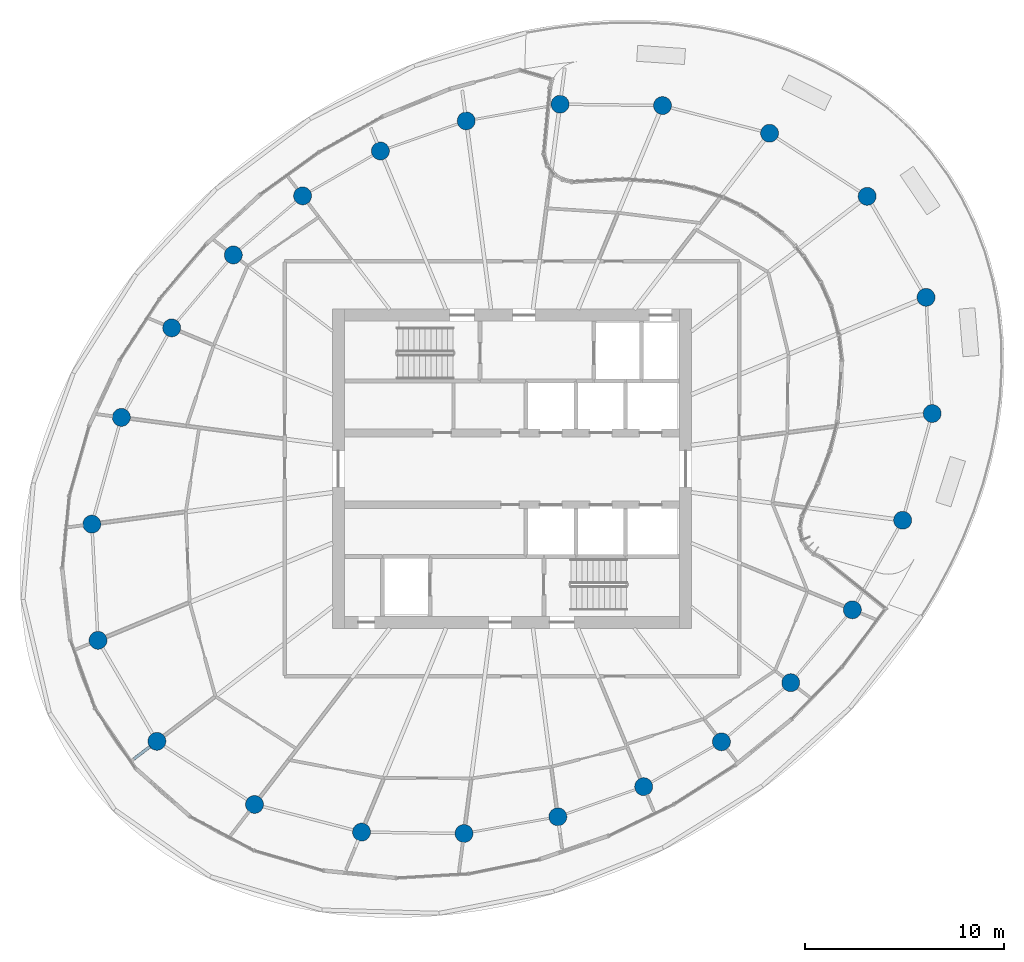
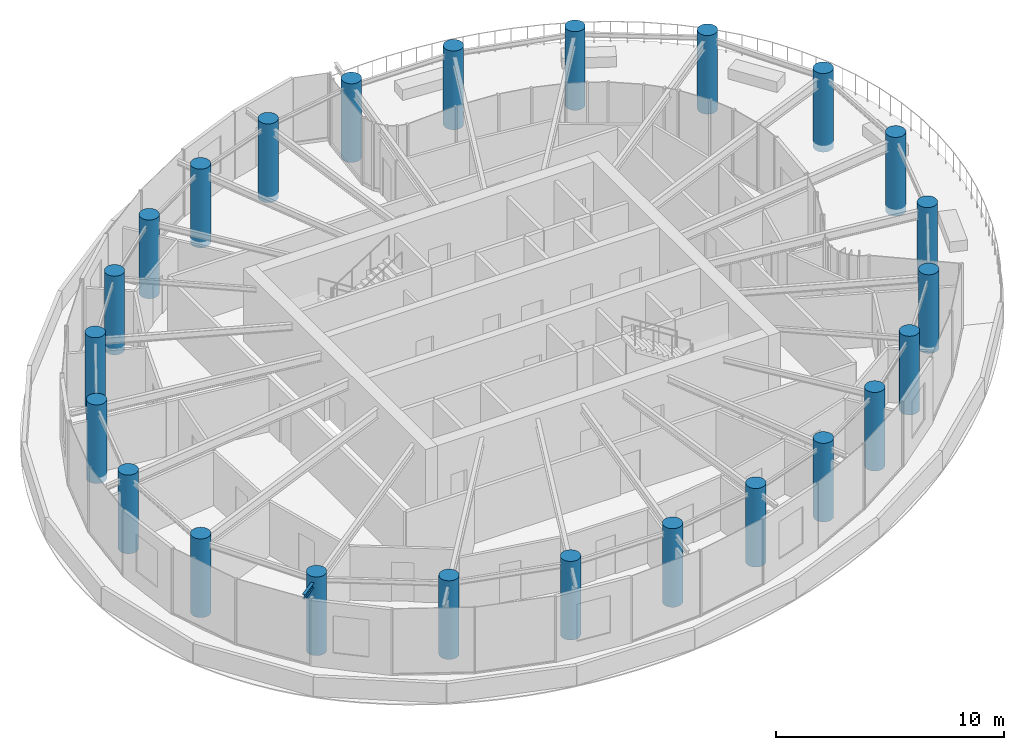
# One storey, part 1 of 19: 24 columns, 1 beam.
"""IFC4 building model written with IfcOpenShell, lengths in metres."""

from ifc_helpers import new_model, si_unit, direction, frame, origin, origin_2d, place, context, subcontext, project, spatial, circle, i_section, extrude, source, transform, mapped, material, material_profile, profile_set, type_object, element, save


model = new_model("IFC4")

# Units and contexts
model_context = context("Model", 3, precision=1e-05, world=origin(), true_north=direction((0.0, 1.0)))
body_context = subcontext(model_context, "Body", "Model", "MODEL_VIEW")
ifc_project = project(units=[si_unit("LENGTHUNIT", "METRE"), si_unit("AREAUNIT", "SQUARE_METRE"), si_unit("VOLUMEUNIT", "CUBIC_METRE"), si_unit("PLANEANGLEUNIT", "RADIAN"), si_unit("MASSUNIT", "GRAM", prefix="KILO")], contexts=[model_context])

# Site, building, storey
site_placement = place(None, origin())
site = spatial("IfcSite", under=ifc_project, at=site_placement, CompositionType="ELEMENT")
building_placement = place(site_placement, origin())
building = spatial("IfcBuilding", under=site, at=building_placement, Name="Spindrift Exchange Tower", CompositionType="ELEMENT")
storey_placement = place(building_placement, frame((0.0, 0.0, 183.800048828125)))
storey = spatial("IfcBuildingStorey", under=building, at=storey_placement, Name="L44", CompositionType="ELEMENT", Elevation=183.800048828125)

# Columns
ifc_material_1 = material(Name="Concrete 50 MPa", Category="concrete")
ifc_material_profile_1 = material_profile(ifc_material_1, circle(Radius=0.449951171875, at=origin_2d()), Name="RC D900")
ifc_profile_set_1 = profile_set([ifc_material_profile_1], Name="Concrete 50 MPa")
column_type = type_object("IfcColumnType", Name="RC Perimeter Column D900 Concrete 50 MPa", PredefinedType="COLUMN", material=ifc_profile_set_1)
shared_shape_1 = source(origin(), body_context, "Body", "SweptSolid", [
    extrude(circle(Radius=0.449951171875, at=origin_2d()), origin(), (0.0, 0.0, 1.0), 4.219970703125),
])
for number, where, z_axis, x_axis, name in (
    (1, (73.062255859375, 50.77294921875, -0.320068359375), (0.0, 0.0, 1.0), (1.0, 0.0, 0.0), "Perimeter column P4-01 L44"),
    (2, (72.753173828125, 56.59619140625, -0.320068359375), (0.0, 0.0, 1.0), (1.0, 0.0, 0.0), "Perimeter column P4-02 L44"),
    (3, (69.802001953125, 61.659912109375, -0.320068359375), (0.0, 0.0, 1.0), (1.0, 0.0, 0.0), "Perimeter column P4-03 L44"),
    (4, (64.90869140625, 64.822998046875, -0.320068359375), (0.0, 0.0, 1.0), (1.0, 0.0, 0.0), "Perimeter column P4-04 L44"),
    (5, (59.542724609375, 66.209716796875, -0.320068359375), (0.0, 0.0, 1.0), (1.0, 0.0, 0.0), "Perimeter column P4-05 L44"),
    (6, (54.406494140625, 66.2783203125, -0.320068359375), (0.0, 0.0, 1.0), (1.0, 0.0, 0.0), "Perimeter column P4-06 L44"),
    (7, (49.70361328125, 65.4423828125, -0.320068359375), (0.0, 0.0, 1.0), (1.0, 0.0, 0.0), "Perimeter column P4-07 L44"),
    (8, (45.40087890625, 63.931396484375, -0.320068359375), (0.0, 0.0, 1.0), (1.0, 0.0, 0.0), "Perimeter column P4-08 L44"),
    (9, (41.500732421875, 61.68310546875, -0.320068359375), (0.0, 0.0, 1.0), (1.0, 0.0, 0.0), "Perimeter column P4-09 L44"),
    (10, (38.029052734375, 58.72021484375, -0.320068359375), (0.0, 0.0, 1.0), (1.0, 0.0, 0.0), "Perimeter column P4-10 L44"),
    (11, (34.940673828125, 55.066162109375, -0.320068359375), (0.0, 0.0, 1.0), (1.0, 0.0, 0.0), "Perimeter column P4-11 L44"),
    (12, (32.4189453125, 50.577880859375, -0.320068359375), (0.0, 0.0, 1.0), (1.0, 0.0, 0.0), "Perimeter column P4-12 L44"),
    (13, (30.937744140625, 45.22705078125, -0.320068359375), (0.0, 0.0, 1.0), (1.0, 0.0, 0.0), "Perimeter column P4-13 L44"),
    (14, (31.246826171875, 39.40380859375, -0.320068359375), (0.0, 0.0, 1.0), (1.0, 0.0, 0.0), "Perimeter column P4-14 L44"),
    (15, (34.197998046875, 34.340087890625, -0.320068359375), (0.0, 0.0, 1.0), (1.0, 0.0, 0.0), "Perimeter column P4-15 L44"),
    (16, (39.09130859375, 31.177001953125, -0.320068359375), (0.0, 0.0, 1.0), (1.0, 0.0, 0.0), "Perimeter column P4-16 L44"),
    (17, (44.457275390625, 29.790283203125, -0.320068359375), (0.0, 0.0, 1.0), (1.0, 0.0, 0.0), "Perimeter column P4-17 L44"),
    (18, (49.593505859375, 29.7216796875, -0.320068359375), (0.0, 0.0, 1.0), (1.0, 0.0, 0.0), "Perimeter column P4-18 L44"),
    (19, (54.29638671875, 30.5576171875, -0.320068359375), (0.0, 0.0, 1.0), (1.0, 0.0, 0.0), "Perimeter column P4-19 L44"),
    (20, (58.59912109375, 32.068603515625, -0.320068359375), (0.0, 0.0, 1.0), (1.0, 0.0, 0.0), "Perimeter column P4-20 L44"),
    (21, (62.499267578125, 34.31689453125, -0.320068359375), (0.0, 0.0, 1.0), (1.0, 0.0, 0.0), "Perimeter column P4-21 L44"),
    (22, (65.970947265625, 37.27978515625, -0.320068359375), (0.0, 0.0, 1.0), (1.0, 0.0, 0.0), "Perimeter column P4-22 L44"),
    (23, (69.059326171875, 40.933837890625, -0.320068359375), (0.0, 0.0, 1.0), (1.0, 0.0, 0.0), "Perimeter column P4-23 L44"),
    (24, (71.5810546875, 45.422119140625, -0.320068359375), (0.0, 0.0, 1.0), (1.0, 0.0, 0.0), "Perimeter column P4-24 L44"),
):
    element("IfcColumn", number, at=place(storey_placement, frame(where, z_axis=z_axis, x_axis=x_axis)), inside=storey, type_object=column_type, Name=name, PredefinedType="COLUMN", context=body_context, shape_type="MappedRepresentation", body=[
        mapped(shared_shape_1, transform((0.0, 0.0, 0.0), scale=1.0)),
    ])

# Beam
ifc_material_2 = material(Name="Steel Grade 300", Category="steel")
ifc_material_profile_2 = material_profile(ifc_material_2, i_section(OverallWidth=0.14599609375, OverallDepth=0.251953125, WebThickness=0.006103515625, FlangeThickness=0.008544921875, FilletRadius=0.011962890625, at=origin_2d()), Name="250UB31.4")
ifc_profile_set_2 = profile_set([ifc_material_profile_2], Name="Steel Grade 300")
beam_type = type_object("IfcBeamType", Name="Cantilever Beam 250UB31.4 Steel Grade 300", PredefinedType="BEAM", material=ifc_profile_set_2)
shared_shape_2 = source(origin(), body_context, "Body", "SweptSolid", [
    extrude(i_section(OverallWidth=0.14599609375, OverallDepth=0.251953125, WebThickness=0.006103515625, FlangeThickness=0.008544921875, FilletRadius=0.011962890625, at=origin_2d()), origin(), (0.0, 0.0, 1.0), 1.0244140625),
])
beam_placement = place(storey_placement, frame((33.856689453125, 34.078125, 3.453857421875), z_axis=(-0.793403010364, -0.608696692241, 0.0), x_axis=(0.608696692241, -0.793403010364, 0.0)))
element("IfcBeam", 25, at=beam_placement, inside=storey, type_object=beam_type, Name="L44 cantilever beam R15T", PredefinedType="BEAM", context=body_context, shape_type="MappedRepresentation", body=[
    mapped(shared_shape_2, transform((0.0, 0.0, 0.0), scale=1.0)),
])

save(model, "model.ifc")
